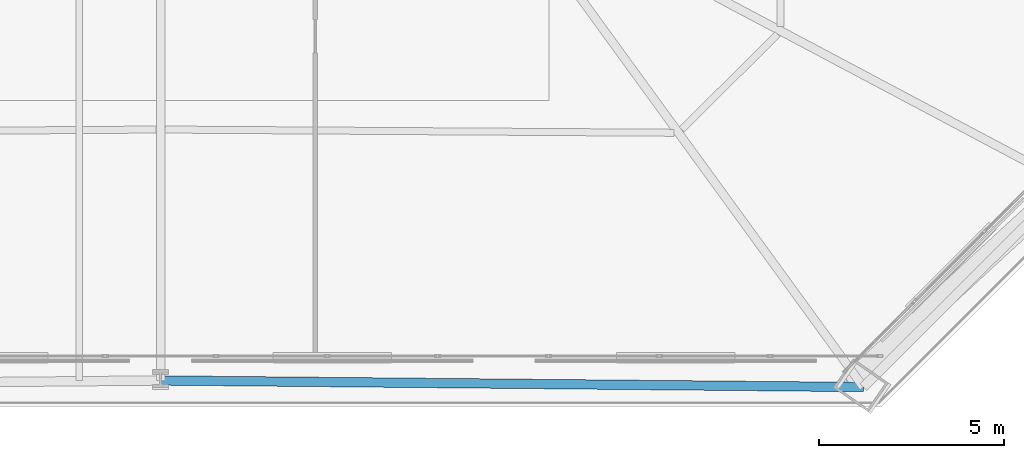
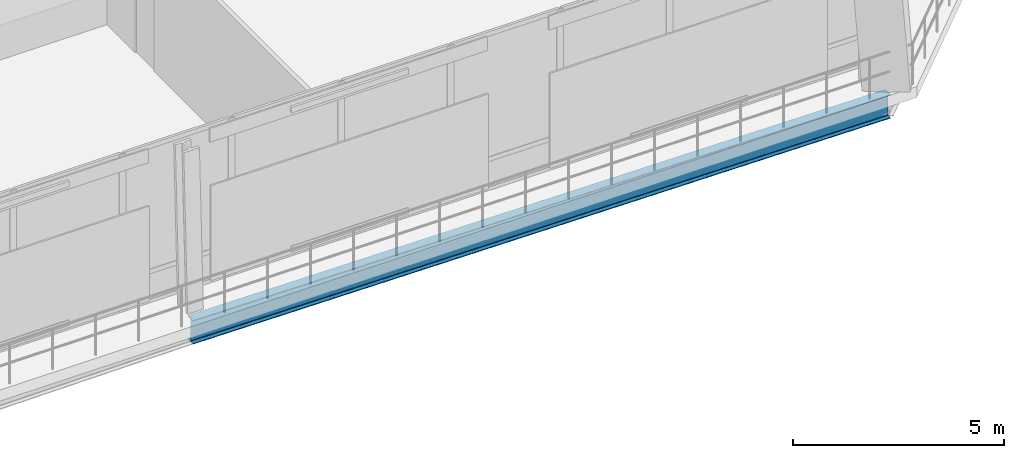
# One storey, part 18 of 48: 1 beam.
"""IFC4 building model written with IfcOpenShell, lengths in metres."""

from ifc_helpers import new_model, si_unit, direction, frame, origin, origin_2d, place, context, subcontext, project, spatial, i_section, extrude, material, material_profile, profile_set, type_object, element, save


model = new_model("IFC4")

# Units and contexts
model_context = context("Model", 3, precision=1e-05, world=origin(), true_north=direction((0.0, 1.0)))
body_context = subcontext(model_context, "Body", "Model", "MODEL_VIEW")
ifc_project = project(units=[si_unit("LENGTHUNIT", "METRE"), si_unit("AREAUNIT", "SQUARE_METRE"), si_unit("VOLUMEUNIT", "CUBIC_METRE"), si_unit("PLANEANGLEUNIT", "RADIAN"), si_unit("MASSUNIT", "GRAM", prefix="KILO")], contexts=[model_context])

# Site, building, storey
site_placement = place(None, origin())
site = spatial("IfcSite", under=ifc_project, at=site_placement, CompositionType="ELEMENT")
building_placement = place(site_placement, origin())
building = spatial("IfcBuilding", under=site, at=building_placement, Name="Caelvoria Tower", CompositionType="ELEMENT")
storey_placement = place(building_placement, frame((0.0, 0.0, 90.39990234375)))
storey = spatial("IfcBuildingStorey", under=building, at=storey_placement, Name="L23", CompositionType="ELEMENT", Elevation=90.39990234375)

# Beam
ifc_material = material(Name="Structural Steel ASTM A992 Gr.50", Category="steel")
ifc_material_profile = material_profile(ifc_material, i_section(OverallWidth=0.25390625, OverallDepth=0.68798828125, WebThickness=0.01318359375, FlangeThickness=0.02099609375, FilletRadius=0.01904296875, at=origin_2d()), Name="Structural Steel ASTM A992 Gr.50")
ifc_profile_set = profile_set([ifc_material_profile], Name="W690X152 - Structural Steel ASTM A992 Gr.50")
beam_type = type_object("IfcBeamType", Name="Perimeter Spandrel Girder W690X152", PredefinedType="BEAM", material=ifc_profile_set)
beam_placement = place(storey_placement, frame((46.0, 10.436767578125, -0.663818359375), z_axis=(0.999956097112, -0.00937037078, 0.0), x_axis=(0.00937037078, 0.999956097112, 0.0)))
element("IfcBeam", 1, at=beam_placement, inside=storey, type_object=beam_type, Name="Perimeter Spandrel Girder L23-01", PredefinedType="BEAM", context=body_context, shape_type="SweptSolid", body=[
    extrude(i_section(OverallWidth=0.25390625, OverallDepth=0.68798828125, WebThickness=0.01318359375, FlangeThickness=0.02099609375, FilletRadius=0.01904296875, at=origin_2d()), origin(), (0.0, 0.0, 1.0), 18.99365234375),
])

save(model, "model.ifc")
